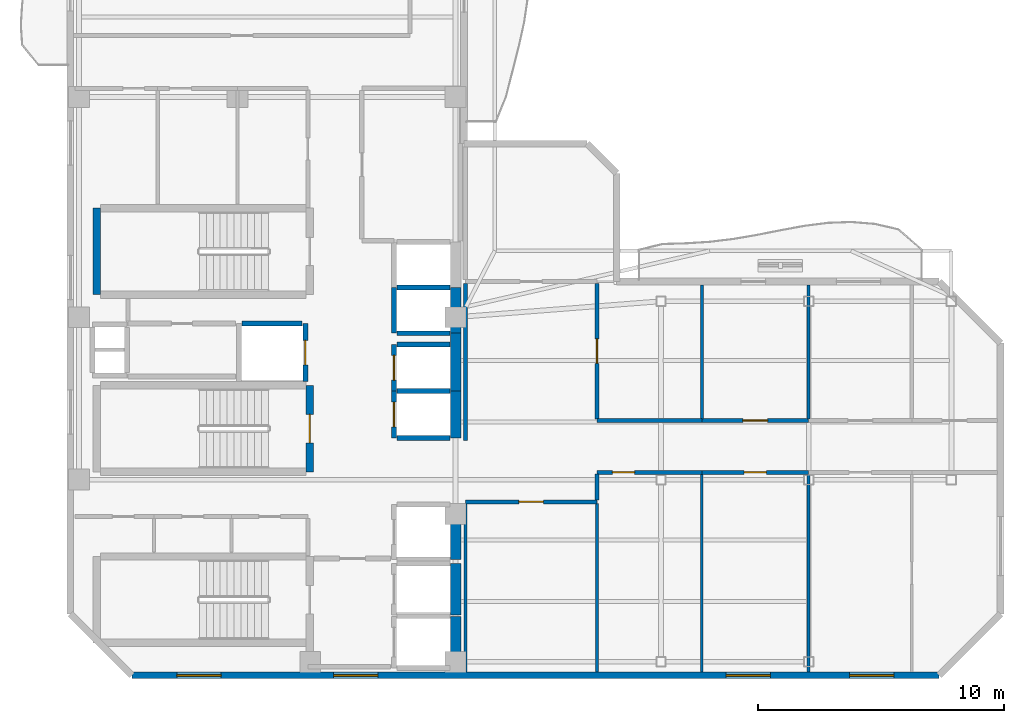
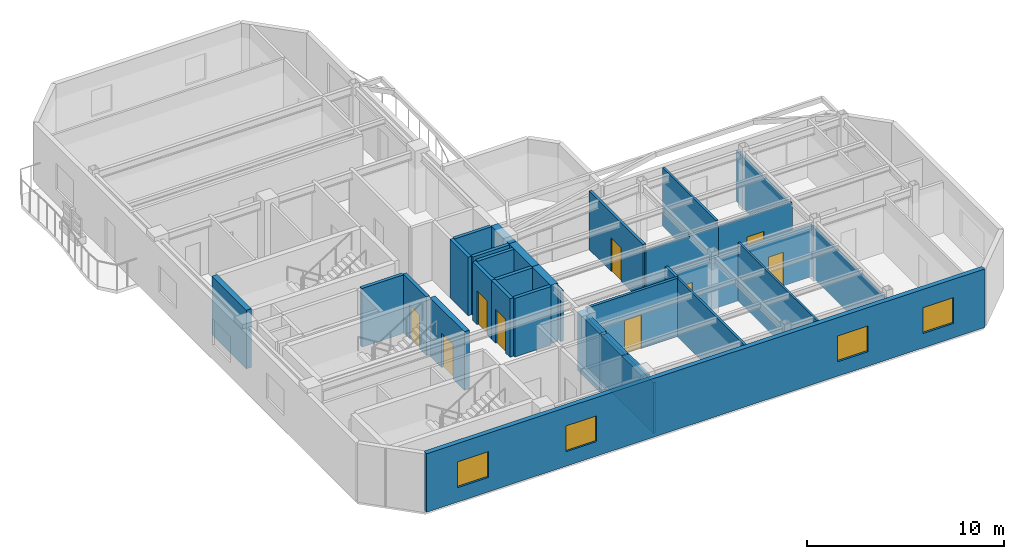
# One storey, part 3 of 7: 33 walls, 9 doors, 4 windows, 13 openings.
"""IFC4 building model written with IfcOpenShell, lengths in metres."""

from ifc_helpers import new_model, si_unit, direction, frame, frame_2d, origin, place, context, subcontext, project, spatial, rectangle, extrude, material, layer, layer_set, type_object, element, fill, save


model = new_model("IFC4")

# Units and contexts
model_context = context("Model", 3, precision=1e-05, world=origin(), true_north=direction((0.0, 1.0)))
body_context = subcontext(model_context, "Body", "Model", "MODEL_VIEW")
ifc_project = project(units=[si_unit("LENGTHUNIT", "METRE"), si_unit("AREAUNIT", "SQUARE_METRE"), si_unit("VOLUMEUNIT", "CUBIC_METRE"), si_unit("PLANEANGLEUNIT", "RADIAN"), si_unit("MASSUNIT", "GRAM", prefix="KILO")], contexts=[model_context])

# Site, building, storey
site_placement = place(None, origin())
site = spatial("IfcSite", under=ifc_project, at=site_placement, CompositionType="ELEMENT")
building_placement = place(site_placement, origin())
building = spatial("IfcBuilding", under=site, at=building_placement, Name="Mawjaban Terraces University", CompositionType="ELEMENT")
storey_placement = place(building_placement, frame((0.0, 0.0, 302.800048828125)))
storey = spatial("IfcBuildingStorey", under=building, at=storey_placement, Name="L74", CompositionType="ELEMENT", Elevation=302.800048828125)

# Walls
ifc_material_1 = material(Name="Concrete C50/60", Category="concrete")
ifc_layer_1 = layer(ifc_material_1, 0.419921875)
ifc_layer_set_1 = layer_set([ifc_layer_1], Name="Concrete C50/60")
wall_type_1 = type_object("IfcWallType", Name="CoreShearWall_420", PredefinedType="SHEAR", material=ifc_layer_set_1)
wall_1_placement = place(storey_placement, frame((37.659912109375, 0.300048828125, 0.0), z_axis=(0.0, 0.0, 1.0), x_axis=(0.0, 1.0, 0.0)))
element("IfcWall", 1, at=wall_1_placement, inside=storey, type_object=wall_type_1, Name="L74 Lift FL-1 Hoistway Wall East", PredefinedType="SHEAR", context=body_context, shape_type="SweptSolid", body=[
    extrude(rectangle(XDim=2.099853515625, YDim=0.419921875, at=frame_2d((1.0498046875, 0.0))), origin(), (0.0, 0.0, 1.0), 3.639892578125),
])
wall_2_placement = place(storey_placement, frame((37.659912109375, 2.449951171875, 0.0), z_axis=(0.0, 0.0, 1.0), x_axis=(0.0, 1.0, 0.0)))
element("IfcWall", 2, at=wall_2_placement, inside=storey, type_object=wall_type_1, Name="L74 Lift FL-2 Hoistway Wall East", PredefinedType="SHEAR", context=body_context, shape_type="SweptSolid", body=[
    extrude(rectangle(XDim=2.10009765625, YDim=0.419921875, at=frame_2d((1.050048828125, 0.0))), origin(), (0.0, 0.0, 1.0), 3.639892578125),
])
wall_3_placement = place(storey_placement, frame((37.659912109375, 4.699951171875, 0.0), z_axis=(0.0, 0.0, 1.0), x_axis=(0.0, 1.0, 0.0)))
element("IfcWall", 3, at=wall_3_placement, inside=storey, type_object=wall_type_1, Name="L74 Lift SL-1 Hoistway Wall East", PredefinedType="SHEAR", context=body_context, shape_type="SweptSolid", body=[
    extrude(rectangle(XDim=2.25, YDim=0.419921875, at=frame_2d((1.125, 0.0))), origin(), (0.0, 0.0, 1.0), 3.639892578125),
])
wall_4_placement = place(storey_placement, frame((37.659912109375, 9.64990234375, 0.0), z_axis=(0.0, 0.0, 1.0), x_axis=(0.0, 1.0, 0.0)))
element("IfcWall", 4, at=wall_4_placement, inside=storey, type_object=wall_type_1, Name="L74 Lift PL-H1 Hoistway Wall East", PredefinedType="SHEAR", context=body_context, shape_type="SweptSolid", body=[
    extrude(rectangle(XDim=1.900146484375, YDim=0.419921875, at=frame_2d((0.9501953125, 0.0))), origin(), (0.0, 0.0, 1.0), 3.639892578125),
])
wall_5_placement = place(storey_placement, frame((37.659912109375, 11.550048828125, 0.0), z_axis=(0.0, 0.0, 1.0), x_axis=(0.0, 1.0, 0.0)))
element("IfcWall", 5, at=wall_5_placement, inside=storey, type_object=wall_type_1, Name="L74 Lift PL-H2 Hoistway Wall East", PredefinedType="SHEAR", context=body_context, shape_type="SweptSolid", body=[
    extrude(rectangle(XDim=2.349853515625, YDim=0.419921875, at=frame_2d((1.1748046875, 0.0))), origin(), (0.0, 0.0, 1.0), 3.639892578125),
])
wall_6_placement = place(storey_placement, frame((37.659912109375, 13.89990234375, 0.0), z_axis=(0.0, 0.0, 1.0), x_axis=(0.0, 1.0, 0.0)))
element("IfcWall", 6, at=wall_6_placement, inside=storey, type_object=wall_type_1, Name="L74 Lift OL-1 Hoistway Wall East", PredefinedType="SHEAR", context=body_context, shape_type="SweptSolid", body=[
    extrude(rectangle(XDim=1.85009765625, YDim=0.419921875, at=frame_2d((0.925048828125, 0.0))), origin(), (0.0, 0.0, 1.0), 3.639892578125),
])

# Wall, opening, door
ifc_material_2 = material(Name="Fire-rated gypsum board on steel stud", Category="steel")
ifc_layer_2 = layer(ifc_material_2, 0.159912109375)
ifc_layer_set_2 = layer_set([ifc_layer_2], Name="Fire-rated gypsum board on steel stud")
wall_type_2 = type_object("IfcWallType", Name="CorridorPartition_160", PredefinedType="PARTITIONING", material=ifc_layer_set_2)
wall_7_placement = place(storey_placement, frame((38.050048828125, 7.050048828125, 0.0), z_axis=(0.0, 0.0, 1.0), x_axis=(1.0, 0.0, 0.0)))
wall_7 = element("IfcWall", 7, at=wall_7_placement, inside=storey, type_object=wall_type_2, Name="L74 Upper Research Hub Concourse Partition 16", PredefinedType="PARTITIONING", context=body_context, shape_type="SweptSolid", body=[
    extrude(rectangle(XDim=5.349853515625, YDim=0.159912109375, at=frame_2d((2.6748046875, 0.0))), origin(), (0.0, 0.0, 1.0), 3.639892578125),
])
opening_1_placement = place(wall_7_placement, frame((2.175048828125, 0.0, 0.0)))
opening_1 = element("IfcOpeningElement", 8, at=opening_1_placement, cuts=wall_7, Name="Opening ID-100", PredefinedType="OPENING", context=body_context, shape_type="SweptSolid", body=[
    extrude(rectangle(XDim=1.0, YDim=2.10009765625, at=frame_2d((0.5, 1.050048828125))), frame((0.0, 0.08984375, 0.0), z_axis=(0.0, -1.0, 0.0), x_axis=(1.0, 0.0, 0.0)), (0.0, 0.0, 1.0), 0.179931640625),
])
ifc_material_3 = material(Name="Powder-coated steel frame and solid acoustic timber leaf", Category="steel")
door_type_1 = type_object("IfcDoorType", Name="ClassroomDoor_1000x2100", OperationType="NOTDEFINED", PredefinedType="DOOR", material=ifc_material_3)
door_1_placement = place(opening_1_placement, origin())
door_1 = element("IfcDoor", 9, at=door_1_placement, inside=storey, type_object=door_type_1, Name="L74 Tutorial Room 1 Door", OperationType="SINGLE_SWING_RIGHT", OverallHeight=2.10009765625, OverallWidth=1.0, PredefinedType="DOOR", context=body_context, shape_type="SweptSolid", body=[
    extrude(rectangle(XDim=1.0, YDim=2.10009765625, at=frame_2d((0.5, 1.050048828125))), frame((0.0, 0.02490234375, 0.0), z_axis=(0.0, -1.0, 0.0), x_axis=(1.0, 0.0, 0.0)), (0.0, 0.0, 1.0), 0.050048828125),
])
fill(opening_1, door_1)

wall_8_placement = place(storey_placement, frame((43.39990234375, 8.25, 0.0), z_axis=(0.0, 0.0, 1.0), x_axis=(1.0, 0.0, 0.0)))
wall_8 = element("IfcWall", 10, at=wall_8_placement, inside=storey, type_object=wall_type_2, Name="L74 Upper East Research Corridor Partition 17", PredefinedType="PARTITIONING", context=body_context, shape_type="SweptSolid", body=[
    extrude(rectangle(XDim=4.260009765625, YDim=0.159912109375, at=frame_2d((2.1298828125, 0.0))), origin(), (0.0, 0.0, 1.0), 3.1708984375),
])
opening_2_placement = place(wall_8_placement, frame((0.6298828125, 0.0, 0.0)))
opening_2 = element("IfcOpeningElement", 11, at=opening_2_placement, cuts=wall_8, Name="Opening ID-090", PredefinedType="OPENING", context=body_context, shape_type="SweptSolid", body=[
    extrude(rectangle(XDim=0.89990234375, YDim=2.10009765625, at=frame_2d((0.449951171875, 1.050048828125))), frame((0.0, 0.08984375, 0.0), z_axis=(0.0, -1.0, 0.0), x_axis=(1.0, 0.0, 0.0)), (0.0, 0.0, 1.0), 0.179931640625),
])
door_type_2 = type_object("IfcDoorType", Name="OfficeDoor_900x2100", OperationType="NOTDEFINED", PredefinedType="DOOR", material=ifc_material_3)
door_2_placement = place(opening_2_placement, origin())
door_2 = element("IfcDoor", 12, at=door_2_placement, inside=storey, type_object=door_type_2, Name="L74 Conference Room 2 Door", OperationType="SINGLE_SWING_LEFT", OverallHeight=2.10009765625, OverallWidth=0.89990234375, PredefinedType="DOOR", context=body_context, shape_type="SweptSolid", body=[
    extrude(rectangle(XDim=0.89990234375, YDim=2.10009765625, at=frame_2d((0.449951171875, 1.050048828125))), frame((0.0, 0.02490234375, 0.0), z_axis=(0.0, -1.0, 0.0), x_axis=(1.0, 0.0, 0.0)), (0.0, 0.0, 1.0), 0.050048828125),
])
fill(opening_2, door_2)

wall_9_placement = place(storey_placement, frame((47.659912109375, 8.25, 0.0), z_axis=(0.0, 0.0, 1.0), x_axis=(1.0, 0.0, 0.0)))
wall_9 = element("IfcWall", 13, at=wall_9_placement, inside=storey, type_object=wall_type_2, Name="L74 Upper East Research Corridor Partition 19", PredefinedType="PARTITIONING", context=body_context, shape_type="SweptSolid", body=[
    extrude(rectangle(XDim=4.340087890625, YDim=0.159912109375, at=frame_2d((2.169921875, 0.0))), origin(), (0.0, 0.0, 1.0), 3.1708984375),
])
opening_3_placement = place(wall_9_placement, frame((1.719970703125, 0.0, 0.0)))
opening_3 = element("IfcOpeningElement", 14, at=opening_3_placement, cuts=wall_9, Name="Opening ID-090", PredefinedType="OPENING", context=body_context, shape_type="SweptSolid", body=[
    extrude(rectangle(XDim=0.89990234375, YDim=2.10009765625, at=frame_2d((0.449951171875, 1.050048828125))), frame((0.0, 0.08984375, 0.0), z_axis=(0.0, -1.0, 0.0), x_axis=(1.0, 0.0, 0.0)), (0.0, 0.0, 1.0), 0.179931640625),
])
door_3_placement = place(opening_3_placement, origin())
door_3 = element("IfcDoor", 15, at=door_3_placement, inside=storey, type_object=door_type_2, Name="L74 Seminar Room 4 Door", OperationType="SINGLE_SWING_LEFT", OverallHeight=2.10009765625, OverallWidth=0.89990234375, PredefinedType="DOOR", context=body_context, shape_type="SweptSolid", body=[
    extrude(rectangle(XDim=0.89990234375, YDim=2.10009765625, at=frame_2d((0.449951171875, 1.050048828125))), frame((0.0, 0.02490234375, 0.0), z_axis=(0.0, -1.0, 0.0), x_axis=(1.0, 0.0, 0.0)), (0.0, 0.0, 1.0), 0.050048828125),
])
fill(opening_3, door_3)

# Wall
wall_10_placement = place(storey_placement, frame((47.659912109375, 10.35009765625, 0.0), z_axis=(0.0, 0.0, 1.0), x_axis=(-1.0, 0.0, 0.0)))
element("IfcWall", 16, at=wall_10_placement, inside=storey, type_object=wall_type_2, Name="L74 Upper East Research Corridor Partition 20", PredefinedType="PARTITIONING", context=body_context, shape_type="SweptSolid", body=[
    extrude(rectangle(XDim=4.260009765625, YDim=0.159912109375, at=frame_2d((2.1298828125, 0.0))), origin(), (0.0, 0.0, 1.0), 3.322021484375),
])

# Wall, opening, door
wall_11_placement = place(storey_placement, frame((52.0, 10.35009765625, 0.0), z_axis=(0.0, 0.0, 1.0), x_axis=(-1.0, 0.0, 0.0)))
wall_11 = element("IfcWall", 17, at=wall_11_placement, inside=storey, type_object=wall_type_2, Name="L74 Upper East Research Corridor Partition 22", PredefinedType="PARTITIONING", context=body_context, shape_type="SweptSolid", body=[
    extrude(rectangle(XDim=4.340087890625, YDim=0.159912109375, at=frame_2d((2.169921875, 0.0))), origin(), (0.0, 0.0, 1.0), 3.322021484375),
])
opening_4_placement = place(wall_11_placement, frame((1.669921875, 0.0, 0.0)))
opening_4 = element("IfcOpeningElement", 18, at=opening_4_placement, cuts=wall_11, Name="Opening ID-100", PredefinedType="OPENING", context=body_context, shape_type="SweptSolid", body=[
    extrude(rectangle(XDim=1.0, YDim=2.10009765625, at=frame_2d((0.5, 1.050048828125))), frame((0.0, 0.08984375, 0.0), z_axis=(0.0, -1.0, 0.0), x_axis=(1.0, 0.0, 0.0)), (0.0, 0.0, 1.0), 0.179931640625),
])
door_4_placement = place(opening_4_placement, origin())
door_4 = element("IfcDoor", 19, at=door_4_placement, inside=storey, type_object=door_type_1, Name="L74 Tutorial Room 5 Door", OperationType="SINGLE_SWING_RIGHT", OverallHeight=2.10009765625, OverallWidth=1.0, PredefinedType="DOOR", context=body_context, shape_type="SweptSolid", body=[
    extrude(rectangle(XDim=1.0, YDim=2.10009765625, at=frame_2d((0.5, 1.050048828125))), frame((0.0, 0.02490234375, 0.0), z_axis=(0.0, -1.0, 0.0), x_axis=(1.0, 0.0, 0.0)), (0.0, 0.0, 1.0), 0.050048828125),
])
fill(opening_4, door_4)

# Walls
wall_12_placement = place(storey_placement, frame((38.050048828125, 15.925048828125, 0.0), z_axis=(0.0, 0.0, 1.0), x_axis=(0.0, -1.0, 0.0)))
element("IfcWall", 20, at=wall_12_placement, inside=storey, type_object=wall_type_2, Name="L74 Upper Research Hub Concourse Partition 39", PredefinedType="PARTITIONING", context=body_context, shape_type="SweptSolid", body=[
    extrude(rectangle(XDim=6.375, YDim=0.159912109375, at=frame_2d((3.1875, 0.0))), origin(), (0.0, 0.0, 1.0), 3.1708984375),
])
wall_13_placement = place(storey_placement, frame((43.39990234375, 7.125, 0.0), z_axis=(0.0, 0.0, 1.0), x_axis=(0.0, 1.0, 0.0)))
element("IfcWall", 21, at=wall_13_placement, inside=storey, type_object=wall_type_2, Name="L74 Upper Research Hub Concourse Partition 42", PredefinedType="PARTITIONING", context=body_context, shape_type="SweptSolid", body=[
    extrude(rectangle(XDim=1.050048828125, YDim=0.159912109375, at=frame_2d((0.52490234375, 0.0))), origin(), (0.0, 0.0, 1.0), 3.639892578125),
])

# Wall, opening, door
wall_14_placement = place(storey_placement, frame((43.39990234375, 10.425048828125, 0.0), z_axis=(0.0, 0.0, 1.0), x_axis=(0.0, 1.0, 0.0)))
wall_14 = element("IfcWall", 22, at=wall_14_placement, inside=storey, type_object=wall_type_2, Name="L74 Upper Research Hub Concourse Partition 43", PredefinedType="PARTITIONING", context=body_context, shape_type="SweptSolid", body=[
    extrude(rectangle(XDim=5.5, YDim=0.159912109375, at=frame_2d((2.75, 0.0))), origin(), (0.0, 0.0, 1.0), 3.639892578125),
])
opening_5_placement = place(wall_14_placement, frame((2.25, 0.0, 0.0)))
opening_5 = element("IfcOpeningElement", 23, at=opening_5_placement, cuts=wall_14, Name="Opening ID-100", PredefinedType="OPENING", context=body_context, shape_type="SweptSolid", body=[
    extrude(rectangle(XDim=1.0, YDim=2.10009765625, at=frame_2d((0.5, 1.050048828125))), frame((0.0, 0.08984375, 0.0), z_axis=(0.0, -1.0, 0.0), x_axis=(1.0, 0.0, 0.0)), (0.0, 0.0, 1.0), 0.179931640625),
])
door_5_placement = place(opening_5_placement, origin())
door_5 = element("IfcDoor", 24, at=door_5_placement, inside=storey, type_object=door_type_1, Name="L74 Classroom 3 Door", OperationType="SINGLE_SWING_RIGHT", OverallHeight=2.10009765625, OverallWidth=1.0, PredefinedType="DOOR", context=body_context, shape_type="SweptSolid", body=[
    extrude(rectangle(XDim=1.0, YDim=2.10009765625, at=frame_2d((0.5, 1.050048828125))), frame((0.0, 0.02490234375, 0.0), z_axis=(0.0, -1.0, 0.0), x_axis=(1.0, 0.0, 0.0)), (0.0, 0.0, 1.0), 0.050048828125),
])
fill(opening_5, door_5)

# Wall, openings, windows
ifc_material_4 = material(Name="Insulated terracotta rainscreen on concrete backup C40/50", Category="masonry")
ifc_layer_3 = layer(ifc_material_4, 0.27490234375)
ifc_layer_set_3 = layer_set([ifc_layer_3], Name="Insulated terracotta rainscreen on concrete backup C40/50")
wall_type_3 = type_object("IfcWallType", Name="ExtTerracottaWall_275", PredefinedType="SOLIDWALL", material=ifc_layer_set_3)
wall_15_placement = place(storey_placement, frame((24.5, 0.0, 0.0), z_axis=(0.0, 0.0, 1.0), x_axis=(1.0, 0.0, 0.0)))
wall_15 = element("IfcWall", 25, at=wall_15_placement, inside=storey, type_object=wall_type_3, Name="L74 Exterior Terracotta Wall 1", PredefinedType="SOLIDWALL", context=body_context, shape_type="SweptSolid", body=[
    extrude(rectangle(XDim=32.800048828125, YDim=0.27490234375, at=frame_2d((16.39990234375, 0.0))), origin(), (0.0, 0.0, 1.0), 3.639892578125),
])
opening_6_placement = place(wall_15_placement, frame((1.8330078125, 0.0, 0.89990234375)))
opening_6 = element("IfcOpeningElement", 26, at=opening_6_placement, cuts=wall_15, Name="Opening W-03", PredefinedType="OPENING", context=body_context, shape_type="SweptSolid", body=[
    extrude(rectangle(XDim=1.800048828125, YDim=1.60009765625, at=frame_2d((0.89990234375, 0.800048828125))), frame((0.0, 0.1474609375, 0.0), z_axis=(0.0, -1.0, 0.0), x_axis=(1.0, 0.0, 0.0)), (0.0, 0.0, 1.0), 0.294921875),
])
opening_7_placement = place(wall_15_placement, frame((8.199951171875, 0.0, 0.89990234375)))
opening_7 = element("IfcOpeningElement", 27, at=opening_7_placement, cuts=wall_15, Name="Opening W-03", PredefinedType="OPENING", context=body_context, shape_type="SweptSolid", body=[
    extrude(rectangle(XDim=1.800048828125, YDim=1.60009765625, at=frame_2d((0.89990234375, 0.800048828125))), frame((0.0, 0.1474609375, 0.0), z_axis=(0.0, -1.0, 0.0), x_axis=(1.0, 0.0, 0.0)), (0.0, 0.0, 1.0), 0.294921875),
])
opening_8_placement = place(wall_15_placement, frame((24.14990234375, 0.0, 0.89990234375)))
opening_8 = element("IfcOpeningElement", 28, at=opening_8_placement, cuts=wall_15, Name="Opening W-03", PredefinedType="OPENING", context=body_context, shape_type="SweptSolid", body=[
    extrude(rectangle(XDim=1.800048828125, YDim=1.60009765625, at=frame_2d((0.89990234375, 0.800048828125))), frame((0.0, 0.1474609375, 0.0), z_axis=(0.0, -1.0, 0.0), x_axis=(1.0, 0.0, 0.0)), (0.0, 0.0, 1.0), 0.294921875),
])
opening_9_placement = place(wall_15_placement, frame((29.1669921875, 0.0, 0.89990234375)))
opening_9 = element("IfcOpeningElement", 29, at=opening_9_placement, cuts=wall_15, Name="Opening W-03", PredefinedType="OPENING", context=body_context, shape_type="SweptSolid", body=[
    extrude(rectangle(XDim=1.800048828125, YDim=1.60009765625, at=frame_2d((0.89990234375, 0.800048828125))), frame((0.0, 0.1474609375, 0.0), z_axis=(0.0, -1.0, 0.0), x_axis=(1.0, 0.0, 0.0)), (0.0, 0.0, 1.0), 0.294921875),
])
ifc_material_5 = material(Name="Low-E solar-control double glazing in thermally broken aluminium frame", Category="aluminium")
window_type = type_object("IfcWindowType", Name="Win_1800x1600", PartitioningType="SINGLE_PANEL", PredefinedType="WINDOW", material=ifc_material_5)
window_1_placement = place(opening_6_placement, origin())
window_1 = element("IfcWindow", 30, at=window_1_placement, inside=storey, type_object=window_type, Name="L74 Facade Window 1.1", OverallHeight=1.60009765625, OverallWidth=1.800048828125, PartitioningType="SINGLE_PANEL", PredefinedType="WINDOW", context=body_context, shape_type="SweptSolid", body=[
    extrude(rectangle(XDim=1.800048828125, YDim=1.60009765625, at=frame_2d((0.89990234375, 0.800048828125))), frame((0.0, 0.030029296875, 0.0), z_axis=(0.0, -1.0, 0.0), x_axis=(1.0, 0.0, 0.0)), (0.0, 0.0, 1.0), 0.06005859375),
])
fill(opening_6, window_1)
window_2_placement = place(opening_7_placement, origin())
window_2 = element("IfcWindow", 31, at=window_2_placement, inside=storey, type_object=window_type, Name="L74 Facade Window 1.2", OverallHeight=1.60009765625, OverallWidth=1.800048828125, PartitioningType="SINGLE_PANEL", PredefinedType="WINDOW", context=body_context, shape_type="SweptSolid", body=[
    extrude(rectangle(XDim=1.800048828125, YDim=1.60009765625, at=frame_2d((0.89990234375, 0.800048828125))), frame((0.0, 0.030029296875, 0.0), z_axis=(0.0, -1.0, 0.0), x_axis=(1.0, 0.0, 0.0)), (0.0, 0.0, 1.0), 0.06005859375),
])
fill(opening_7, window_2)
window_3_placement = place(opening_8_placement, origin())
window_3 = element("IfcWindow", 32, at=window_3_placement, inside=storey, type_object=window_type, Name="L74 Facade Window 1.5", OverallHeight=1.60009765625, OverallWidth=1.800048828125, PartitioningType="SINGLE_PANEL", PredefinedType="WINDOW", context=body_context, shape_type="SweptSolid", body=[
    extrude(rectangle(XDim=1.800048828125, YDim=1.60009765625, at=frame_2d((0.89990234375, 0.800048828125))), frame((0.0, 0.030029296875, 0.0), z_axis=(0.0, -1.0, 0.0), x_axis=(1.0, 0.0, 0.0)), (0.0, 0.0, 1.0), 0.06005859375),
])
fill(opening_8, window_3)
window_4_placement = place(opening_9_placement, origin())
window_4 = element("IfcWindow", 33, at=window_4_placement, inside=storey, type_object=window_type, Name="L74 Facade Window 1.6", OverallHeight=1.60009765625, OverallWidth=1.800048828125, PartitioningType="SINGLE_PANEL", PredefinedType="WINDOW", context=body_context, shape_type="SweptSolid", body=[
    extrude(rectangle(XDim=1.800048828125, YDim=1.60009765625, at=frame_2d((0.89990234375, 0.800048828125))), frame((0.0, 0.030029296875, 0.0), z_axis=(0.0, -1.0, 0.0), x_axis=(1.0, 0.0, 0.0)), (0.0, 0.0, 1.0), 0.06005859375),
])
fill(opening_9, window_4)

# Wall, opening, door
ifc_material_6 = material(Name="Concrete C40/50", Category="concrete")
ifc_layer_4 = layer(ifc_material_6, 0.199951171875)
ifc_layer_set_4 = layer_set([ifc_layer_4], Name="Concrete C40/50")
wall_type_4 = type_object("IfcWallType", Name="FireLobbyWall_200", PredefinedType="SOLIDWALL", material=ifc_layer_set_4)
wall_16_placement = place(storey_placement, frame((35.14990234375, 11.550048828125, 0.0), z_axis=(0.0, 0.0, 1.0), x_axis=(0.0, -1.0, 0.0)))
wall_16 = element("IfcWall", 34, at=wall_16_placement, inside=storey, type_object=wall_type_4, Name="L74 Lift PL-H1 Hoistway Wall West", PredefinedType="SOLIDWALL", context=body_context, shape_type="SweptSolid", body=[
    extrude(rectangle(XDim=1.900146484375, YDim=0.199951171875, at=frame_2d((0.9501953125, 0.0))), origin(), (0.0, 0.0, 1.0), 3.639892578125),
])
opening_10_placement = place(wall_16_placement, frame((0.449951171875, 0.0, 0.0)))
opening_10 = element("IfcOpeningElement", 35, at=opening_10_placement, cuts=wall_16, Name="Opening LD-PL-H1", PredefinedType="OPENING", context=body_context, shape_type="SweptSolid", body=[
    extrude(rectangle(XDim=1.0, YDim=2.10009765625, at=frame_2d((0.5, 1.050048828125))), frame((0.0, 0.10986328125, 0.0), z_axis=(0.0, -1.0, 0.0), x_axis=(1.0, 0.0, 0.0)), (0.0, 0.0, 1.0), 0.219970703125),
])
ifc_material_7 = material(Name="Powder-coated steel frame and fire-rated steel-faced leaf", Category="steel")
door_type_3 = type_object("IfcDoorType", Name="LiftLandingSliding_1000x2100", OperationType="NOTDEFINED", PredefinedType="DOOR", material=ifc_material_7)
door_6_placement = place(opening_10_placement, origin())
door_6 = element("IfcDoor", 36, at=door_6_placement, inside=storey, type_object=door_type_3, Name="L74 Lift PL-H1 Sliding Landing Door", OperationType="DOUBLE_DOOR_SLIDING", OverallHeight=2.10009765625, OverallWidth=1.0, PredefinedType="DOOR", context=body_context, shape_type="SweptSolid", body=[
    extrude(rectangle(XDim=1.0, YDim=2.10009765625, at=frame_2d((0.5, 1.050048828125))), frame((0.0, 0.02490234375, 0.0), z_axis=(0.0, -1.0, 0.0), x_axis=(1.0, 0.0, 0.0)), (0.0, 0.0, 1.0), 0.050048828125),
])
fill(opening_10, door_6)

# Walls
for number, where, z_axis, x_axis, name in (
    (37, (35.280029296875, 9.64990234375, 0.0), (0.0, 0.0, 1.0), (1.0, 0.0, 0.0), "L74 Lift PL-H1 Hoistway Wall South"),
    (38, (37.419921875, 11.550048828125, 0.0), (0.0, 0.0, 1.0), (-1.0, 0.0, 0.0), "L74 Lift PL-H1 Hoistway Wall North"),
):
    element("IfcWall", number, at=place(storey_placement, frame(where, z_axis=z_axis, x_axis=x_axis)), inside=storey, type_object=wall_type_4, Name=name, PredefinedType="SOLIDWALL", context=body_context, shape_type="SweptSolid", body=[
        extrude(rectangle(XDim=2.139892578125, YDim=0.199951171875, at=frame_2d((1.06982421875, 0.0))), origin(), (0.0, 0.0, 1.0), 3.639892578125),
    ])

# Wall, opening, door
wall_17_placement = place(storey_placement, frame((35.14990234375, 13.449951171875, 0.0), z_axis=(0.0, 0.0, 1.0), x_axis=(0.0, -1.0, 0.0)))
wall_17 = element("IfcWall", 39, at=wall_17_placement, inside=storey, type_object=wall_type_4, Name="L74 Lift PL-H2 Hoistway Wall West", PredefinedType="SOLIDWALL", context=body_context, shape_type="SweptSolid", body=[
    extrude(rectangle(XDim=1.89990234375, YDim=0.199951171875, at=frame_2d((0.949951171875, 0.0))), origin(), (0.0, 0.0, 1.0), 3.639892578125),
])
opening_11_placement = place(wall_17_placement, frame((0.449951171875, 0.0, 0.0)))
opening_11 = element("IfcOpeningElement", 40, at=opening_11_placement, cuts=wall_17, Name="Opening LD-PL-H2", PredefinedType="OPENING", context=body_context, shape_type="SweptSolid", body=[
    extrude(rectangle(XDim=1.0, YDim=2.10009765625, at=frame_2d((0.5, 1.050048828125))), frame((0.0, 0.10986328125, 0.0), z_axis=(0.0, -1.0, 0.0), x_axis=(1.0, 0.0, 0.0)), (0.0, 0.0, 1.0), 0.219970703125),
])
door_7_placement = place(opening_11_placement, origin())
door_7 = element("IfcDoor", 41, at=door_7_placement, inside=storey, type_object=door_type_3, Name="L74 Lift PL-H2 Sliding Landing Door", OperationType="DOUBLE_DOOR_SLIDING", OverallHeight=2.10009765625, OverallWidth=1.0, PredefinedType="DOOR", context=body_context, shape_type="SweptSolid", body=[
    extrude(rectangle(XDim=1.0, YDim=2.10009765625, at=frame_2d((0.5, 1.050048828125))), frame((0.0, 0.02490234375, 0.0), z_axis=(0.0, -1.0, 0.0), x_axis=(1.0, 0.0, 0.0)), (0.0, 0.0, 1.0), 0.050048828125),
])
fill(opening_11, door_7)

# Wall
wall_18_placement = place(storey_placement, frame((37.419921875, 13.449951171875, 0.0), z_axis=(0.0, 0.0, 1.0), x_axis=(-1.0, 0.0, 0.0)))
element("IfcWall", 42, at=wall_18_placement, inside=storey, type_object=wall_type_4, Name="L74 Lift PL-H2 Hoistway Wall North", PredefinedType="SOLIDWALL", context=body_context, shape_type="SweptSolid", body=[
    extrude(rectangle(XDim=2.139892578125, YDim=0.199951171875, at=frame_2d((1.06982421875, 0.0))), origin(), (0.0, 0.0, 1.0), 3.639892578125),
])

# Wall, opening, door
wall_19_placement = place(storey_placement, frame((31.550048828125, 11.929931640625, 0.0), z_axis=(0.0, 0.0, 1.0), x_axis=(0.0, 1.0, 0.0)))
wall_19 = element("IfcWall", 43, at=wall_19_placement, inside=storey, type_object=wall_type_4, Name="L74 Lift PL-H3 Hoistway Wall East", PredefinedType="SOLIDWALL", context=body_context, shape_type="SweptSolid", body=[
    extrude(rectangle(XDim=2.3701171875, YDim=0.199951171875, at=frame_2d((1.18505859375, 0.0))), origin(), (0.0, 0.0, 1.0), 3.639892578125),
])
opening_12_placement = place(wall_19_placement, frame((0.68505859375, 0.0, 0.0)))
opening_12 = element("IfcOpeningElement", 44, at=opening_12_placement, cuts=wall_19, Name="Opening LD-PL-H3", PredefinedType="OPENING", context=body_context, shape_type="SweptSolid", body=[
    extrude(rectangle(XDim=1.0, YDim=2.10009765625, at=frame_2d((0.5, 1.050048828125))), frame((0.0, 0.10986328125, 0.0), z_axis=(0.0, -1.0, 0.0), x_axis=(1.0, 0.0, 0.0)), (0.0, 0.0, 1.0), 0.219970703125),
])
door_8_placement = place(opening_12_placement, origin())
door_8 = element("IfcDoor", 45, at=door_8_placement, inside=storey, type_object=door_type_3, Name="L74 Lift PL-H3 Sliding Landing Door", OperationType="DOUBLE_DOOR_SLIDING", OverallHeight=2.10009765625, OverallWidth=1.0, PredefinedType="DOOR", context=body_context, shape_type="SweptSolid", body=[
    extrude(rectangle(XDim=1.0, YDim=2.10009765625, at=frame_2d((0.5, 1.050048828125))), frame((0.0, 0.02490234375, 0.0), z_axis=(0.0, -1.0, 0.0), x_axis=(1.0, 0.0, 0.0)), (0.0, 0.0, 1.0), 0.050048828125),
])
fill(opening_12, door_8)

# Walls
wall_20_placement = place(storey_placement, frame((31.419921875, 14.300048828125, 0.0), z_axis=(0.0, 0.0, 1.0), x_axis=(-1.0, 0.0, 0.0)))
element("IfcWall", 46, at=wall_20_placement, inside=storey, type_object=wall_type_4, Name="L74 Lift PL-H3 Hoistway Wall North", PredefinedType="SOLIDWALL", context=body_context, shape_type="SweptSolid", body=[
    extrude(rectangle(XDim=2.43994140625, YDim=0.199951171875, at=frame_2d((1.219970703125, 0.0))), origin(), (0.0, 0.0, 1.0), 3.639892578125),
])
wall_21_placement = place(storey_placement, frame((35.14990234375, 15.75, 0.0), z_axis=(0.0, 0.0, 1.0), x_axis=(0.0, -1.0, 0.0)))
element("IfcWall", 47, at=wall_21_placement, inside=storey, type_object=wall_type_4, Name="L74 Lift OL-1 Hoistway Wall West", PredefinedType="SOLIDWALL", context=body_context, shape_type="SweptSolid", body=[
    extrude(rectangle(XDim=1.85009765625, YDim=0.199951171875, at=frame_2d((0.925048828125, 0.0))), origin(), (0.0, 0.0, 1.0), 3.639892578125),
])
for number, where, z_axis, x_axis, name in (
    (48, (35.280029296875, 13.89990234375, 0.0), (0.0, 0.0, 1.0), (1.0, 0.0, 0.0), "L74 Lift OL-1 Hoistway Wall South"),
    (49, (37.419921875, 15.75, 0.0), (0.0, 0.0, 1.0), (-1.0, 0.0, 0.0), "L74 Lift OL-1 Hoistway Wall North"),
):
    element("IfcWall", number, at=place(storey_placement, frame(where, z_axis=z_axis, x_axis=x_axis)), inside=storey, type_object=wall_type_4, Name=name, PredefinedType="SOLIDWALL", context=body_context, shape_type="SweptSolid", body=[
        extrude(rectangle(XDim=2.139892578125, YDim=0.199951171875, at=frame_2d((1.06982421875, 0.0))), origin(), (0.0, 0.0, 1.0), 3.639892578125),
    ])
ifc_material_8 = material(Name="Gypsum plasterboard on steel stud", Category="steel")
ifc_layer_5 = layer(ifc_material_8, 0.125)
ifc_layer_set_5 = layer_set([ifc_layer_5], Name="Gypsum plasterboard on steel stud")
wall_type_5 = type_object("IfcWallType", Name="OfficePartition_125", PredefinedType="PARTITIONING", material=ifc_layer_set_5)
wall_22_placement = place(storey_placement, frame((38.050048828125, 6.97509765625, 0.0), z_axis=(0.0, 0.0, 1.0), x_axis=(0.0, -1.0, 0.0)))
element("IfcWall", 50, at=wall_22_placement, inside=storey, type_object=wall_type_5, Name="L74 Tutorial Room 1 Partition 38", PredefinedType="PARTITIONING", context=body_context, shape_type="SweptSolid", body=[
    extrude(rectangle(XDim=6.842041015625, YDim=0.125, at=frame_2d((3.4208984375, 0.0))), origin(), (0.0, 0.0, 1.0), 3.1708984375),
])
wall_23_placement = place(storey_placement, frame((43.39990234375, 0.133056640625, 0.0), z_axis=(0.0, 0.0, 1.0), x_axis=(0.0, 1.0, 0.0)))
element("IfcWall", 51, at=wall_23_placement, inside=storey, type_object=wall_type_5, Name="L74 Tutorial Room 1 Partition 41", PredefinedType="PARTITIONING", context=body_context, shape_type="SweptSolid", body=[
    extrude(rectangle(XDim=6.842041015625, YDim=0.125, at=frame_2d((3.4208984375, 0.0))), origin(), (0.0, 0.0, 1.0), 3.639892578125),
])
wall_24_placement = place(storey_placement, frame((47.659912109375, 10.425048828125, 0.0), z_axis=(0.0, 0.0, 1.0), x_axis=(0.0, 1.0, 0.0)))
element("IfcWall", 52, at=wall_24_placement, inside=storey, type_object=wall_type_5, Name="L74 Classroom 3 Partition 45", PredefinedType="PARTITIONING", context=body_context, shape_type="SweptSolid", body=[
    extrude(rectangle(XDim=5.44189453125, YDim=0.125, at=frame_2d((2.720947265625, 0.0))), origin(), (0.0, 0.0, 1.0), 3.639892578125),
])
wall_25_placement = place(storey_placement, frame((52.0, 0.133056640625, 0.0), z_axis=(0.0, 0.0, 1.0), x_axis=(0.0, 1.0, 0.0)))
element("IfcWall", 53, at=wall_25_placement, inside=storey, type_object=wall_type_5, Name="L74 Seminar Room 4 Partition 46", PredefinedType="PARTITIONING", context=body_context, shape_type="SweptSolid", body=[
    extrude(rectangle(XDim=8.0419921875, YDim=0.125, at=frame_2d((4.02099609375, 0.0))), origin(), (0.0, 0.0, 1.0), 3.1708984375),
])
wall_26_placement = place(storey_placement, frame((52.0, 10.425048828125, 0.0), z_axis=(0.0, 0.0, 1.0), x_axis=(0.0, 1.0, 0.0)))
element("IfcWall", 54, at=wall_26_placement, inside=storey, type_object=wall_type_5, Name="L74 Tutorial Room 5 Partition 47", PredefinedType="PARTITIONING", context=body_context, shape_type="SweptSolid", body=[
    extrude(rectangle(XDim=5.44189453125, YDim=0.125, at=frame_2d((2.720947265625, 0.0))), origin(), (0.0, 0.0, 1.0), 3.1708984375),
])
ifc_material_9 = material(Name="Acoustic operable panel partition", Category="masonry")
ifc_layer_6 = layer(ifc_material_9, 0.110107421875)
ifc_layer_set_6 = layer_set([ifc_layer_6], Name="Acoustic operable panel partition")
wall_type_6 = type_object("IfcWallType", Name="OperableSeminarWall_110", PredefinedType="MOVABLE", material=ifc_layer_set_6)
wall_27_placement = place(storey_placement, frame((47.659912109375, 0.133056640625, 0.0), z_axis=(0.0, 0.0, 1.0), x_axis=(0.0, 1.0, 0.0)))
element("IfcWall", 55, at=wall_27_placement, inside=storey, type_object=wall_type_6, Name="L74 Conference Room 2 Partition 44", PredefinedType="MOVABLE", context=body_context, shape_type="SweptSolid", body=[
    extrude(rectangle(XDim=8.0419921875, YDim=0.110107421875, at=frame_2d((4.02099609375, 0.0))), origin(), (0.0, 0.0, 1.0), 3.639892578125),
])
ifc_material_10 = material(Name="Concrete C60/75", Category="concrete")
ifc_layer_7 = layer(ifc_material_10, 0.300048828125)
ifc_layer_set_7 = layer_set([ifc_layer_7], Name="Concrete C60/75")
wall_type_7 = type_object("IfcWallType", Name="StairShaftWall_300", PredefinedType="SHEAR", material=ifc_layer_set_7)
wall_28_placement = place(storey_placement, frame((23.070068359375, 18.97998046875, 0.0), z_axis=(0.0, 0.0, 1.0), x_axis=(0.0, -1.0, 0.0)))
element("IfcWall", 56, at=wall_28_placement, inside=storey, type_object=wall_type_7, Name="L74 ST-2 Stair Shaft Wall 2", PredefinedType="SHEAR", context=body_context, shape_type="SweptSolid", body=[
    extrude(rectangle(XDim=3.510009765625, YDim=0.300048828125, at=frame_2d((1.7548828125, 0.0))), origin(), (0.0, 0.0, 1.0), 3.639892578125),
])

# Wall, opening, door
wall_29_placement = place(storey_placement, frame((31.72998046875, 8.27001953125, 0.0), z_axis=(0.0, 0.0, 1.0), x_axis=(0.0, 1.0, 0.0)))
wall_29 = element("IfcWall", 57, at=wall_29_placement, inside=storey, type_object=wall_type_7, Name="L74 ST-3 Stair Shaft Wall 4", PredefinedType="SHEAR", context=body_context, shape_type="SweptSolid", body=[
    extrude(rectangle(XDim=3.510009765625, YDim=0.300048828125, at=frame_2d((1.7548828125, 0.0))), origin(), (0.0, 0.0, 1.0), 3.639892578125),
])
opening_13_placement = place(wall_29_placement, frame((1.179931640625, 0.0, 0.0)))
opening_13 = element("IfcOpeningElement", 58, at=opening_13_placement, cuts=wall_29, Name="Opening FD-115", PredefinedType="OPENING", context=body_context, shape_type="SweptSolid", body=[
    extrude(rectangle(XDim=1.14990234375, YDim=2.14990234375, at=frame_2d((0.574951171875, 1.074951171875))), frame((0.0, 0.159912109375, 0.0), z_axis=(0.0, -1.0, 0.0), x_axis=(1.0, 0.0, 0.0)), (0.0, 0.0, 1.0), 0.320068359375),
])
door_type_4 = type_object("IfcDoorType", Name="FireStairDoor_1150x2150", OperationType="NOTDEFINED", PredefinedType="DOOR", material=ifc_material_7)
door_9_placement = place(opening_13_placement, origin())
door_9 = element("IfcDoor", 59, at=door_9_placement, inside=storey, type_object=door_type_4, Name="L74 ST-3 Pressurised Stair Fire Door", OperationType="SINGLE_SWING_RIGHT", OverallHeight=2.14990234375, OverallWidth=1.14990234375, PredefinedType="DOOR", context=body_context, shape_type="SweptSolid", body=[
    extrude(rectangle(XDim=1.14990234375, YDim=2.14990234375, at=frame_2d((0.574951171875, 1.074951171875))), frame((0.0, 0.02490234375, 0.0), z_axis=(0.0, -1.0, 0.0), x_axis=(1.0, 0.0, 0.0)), (0.0, 0.0, 1.0), 0.050048828125),
])
fill(opening_13, door_9)

save(model, "model.ifc")
